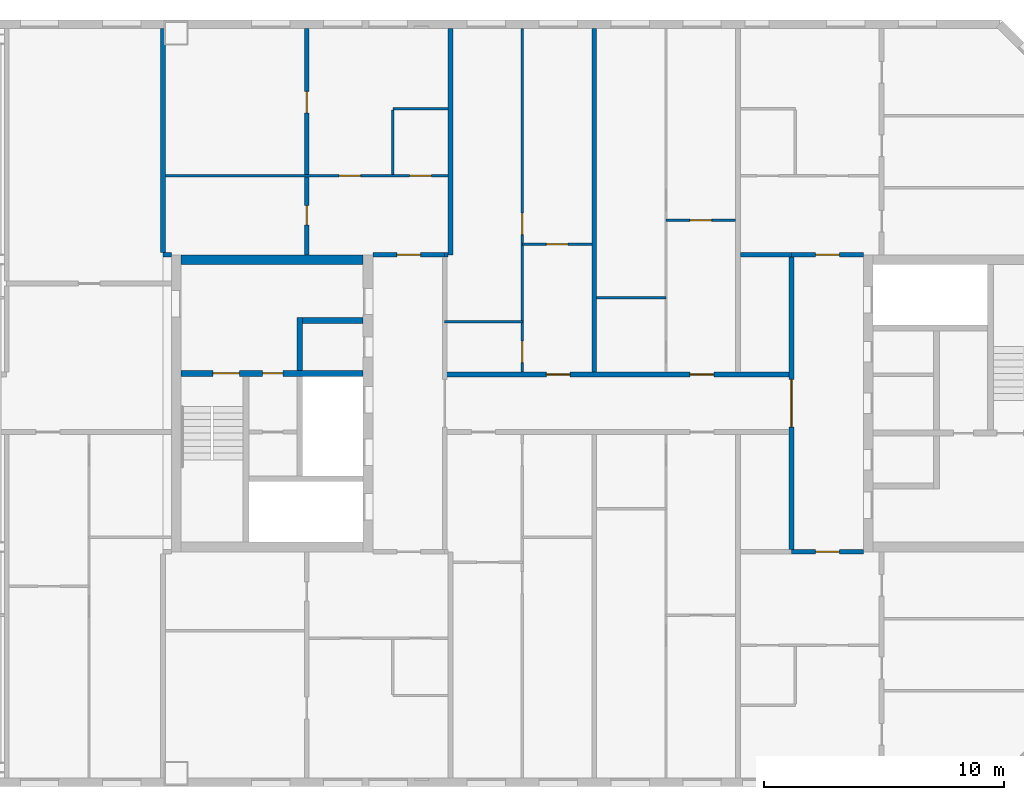
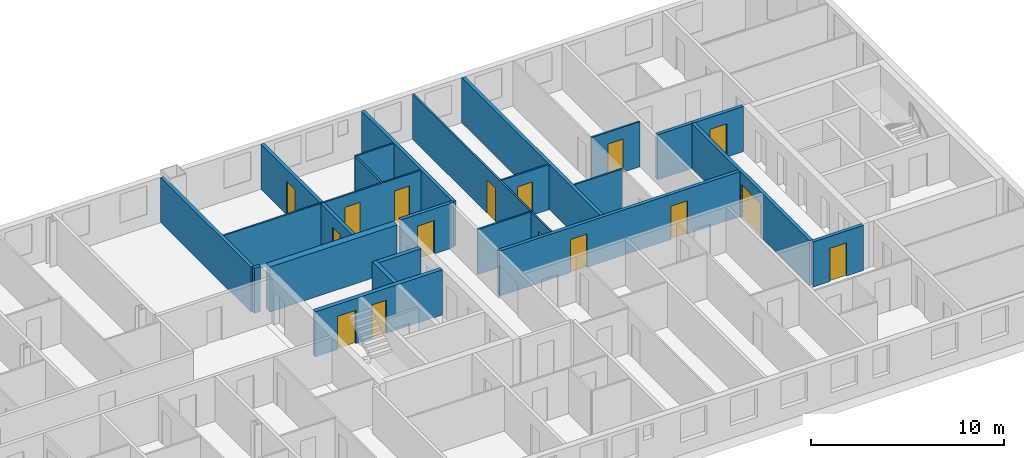
# One storey, part 15 of 19: 24 walls, 16 doors, 16 openings.
"""IFC4 building model written with IfcOpenShell, lengths in metres."""

from ifc_helpers import new_model, si_unit, direction, frame, frame_2d, origin, place, context, subcontext, project, spatial, rectangle, extrude, material, layer, layer_set, type_object, element, fill, save


model = new_model("IFC4")

# Units and contexts
model_context = context("Model", 3, precision=1e-05, world=origin(), true_north=direction((0.0, 1.0)))
body_context = subcontext(model_context, "Body", "Model", "MODEL_VIEW")
ifc_project = project(units=[si_unit("LENGTHUNIT", "METRE"), si_unit("AREAUNIT", "SQUARE_METRE"), si_unit("VOLUMEUNIT", "CUBIC_METRE"), si_unit("PLANEANGLEUNIT", "RADIAN"), si_unit("MASSUNIT", "GRAM", prefix="KILO")], contexts=[model_context])

# Site, building, storey
site_placement = place(None, origin())
site = spatial("IfcSite", under=ifc_project, at=site_placement, CompositionType="ELEMENT")
building_placement = place(site_placement, origin())
building = spatial("IfcBuilding", under=site, at=building_placement, Name="Tuart Gate Housing", CompositionType="ELEMENT")
storey_placement = place(building_placement, frame((0.0, 0.0, 221.39990234375)))
storey = spatial("IfcBuildingStorey", under=building, at=storey_placement, Name="L62", CompositionType="ELEMENT", Elevation=221.39990234375)

# Wall, openings, doors
ifc_material_1 = material(Name="Concrete C40", Category="concrete")
ifc_layer_1 = layer(ifc_material_1, 0.25)
ifc_layer_set_1 = layer_set([ifc_layer_1], Name="Core wall 250 C40")
wall_type_1 = type_object("IfcWallType", Name="Core wall 250 C40", PredefinedType="SHEAR", material=ifc_layer_set_1)
wall_1_placement = place(storey_placement, frame((139.360107421875, 71.25, 0.0), z_axis=(0.0, 0.0, 1.0), x_axis=(-1.0, 0.0, 0.0)))
wall_1 = element("IfcWall", 1, at=wall_1_placement, inside=storey, type_object=wall_type_1, Name="Core wall BG.3", PredefinedType="SHEAR", context=body_context, shape_type="SweptSolid", body=[
    extrude(rectangle(XDim=7.60009765625, YDim=0.25, at=frame_2d((3.800048828125, 0.0))), origin(), (0.0, 0.0, 1.0), 2.85009765625),
])
opening_1_placement = place(wall_1_placement, frame((5.175048828125, 0.0, 0.0)))
opening_1 = element("IfcOpeningElement", 2, at=opening_1_placement, cuts=wall_1, Name="Opening D2409", PredefinedType="OPENING", context=body_context, shape_type="SweptSolid", body=[
    extrude(rectangle(XDim=1.10009765625, YDim=2.10009765625, at=frame_2d((0.550048828125, 1.050048828125))), frame((0.0, 0.135009765625, 0.0), z_axis=(0.0, -1.0, 0.0), x_axis=(1.0, 0.0, 0.0)), (0.0, 0.0, 1.0), 0.27001953125),
])
opening_2_placement = place(wall_1_placement, frame((3.35009765625, 0.0, 0.0)))
opening_2 = element("IfcOpeningElement", 3, at=opening_2_placement, cuts=wall_1, Name="Opening D2408", PredefinedType="OPENING", context=body_context, shape_type="SweptSolid", body=[
    extrude(rectangle(XDim=0.85009765625, YDim=2.10009765625, at=frame_2d((0.425048828125, 1.050048828125))), frame((0.0, 0.135009765625, 0.0), z_axis=(0.0, -1.0, 0.0), x_axis=(1.0, 0.0, 0.0)), (0.0, 0.0, 1.0), 0.27001953125),
])
ifc_material_2 = material(Name="Steel fire door", Category="steel")
door_type_1 = type_object("IfcDoorType", Name="Riser door 850 x 2100", OperationType="SINGLE_SWING_LEFT", PredefinedType="DOOR", material=ifc_material_2)
door_1_placement = place(opening_2_placement, origin())
door_1 = element("IfcDoor", 4, at=door_1_placement, inside=storey, type_object=door_type_1, Name="Service room door BG.W1", OperationType="SINGLE_SWING_LEFT", OverallHeight=2.10009765625, OverallWidth=0.85009765625, PredefinedType="DOOR", context=body_context, shape_type="SweptSolid", body=[
    extrude(rectangle(XDim=0.85009765625, YDim=2.10009765625, at=frame_2d((0.425048828125, 1.050048828125))), frame((0.0, 0.02490234375, 0.0), z_axis=(0.0, -1.0, 0.0), x_axis=(1.0, 0.0, 0.0)), (0.0, 0.0, 1.0), 0.050048828125),
])
fill(opening_2, door_1)
ifc_material_3 = material(Name="Steel fire door", Category="steel")
door_type_2 = type_object("IfcDoorType", Name="Stair door 1100 x 2100", OperationType="SINGLE_SWING_LEFT", PredefinedType="DOOR", material=ifc_material_3)
door_2_placement = place(opening_1_placement, origin())
door_2 = element("IfcDoor", 5, at=door_2_placement, inside=storey, type_object=door_type_2, Name="Stair door BG.SD", OperationType="SINGLE_SWING_LEFT", OverallHeight=2.10009765625, OverallWidth=1.10009765625, PredefinedType="DOOR", context=body_context, shape_type="SweptSolid", body=[
    extrude(rectangle(XDim=1.10009765625, YDim=2.10009765625, at=frame_2d((0.550048828125, 1.050048828125))), frame((0.0, 0.02490234375, 0.0), z_axis=(0.0, -1.0, 0.0), x_axis=(1.0, 0.0, 0.0)), (0.0, 0.0, 1.0), 0.050048828125),
])
fill(opening_1, door_2)

# Walls
wall_2_placement = place(storey_placement, frame((139.360107421875, 73.449951171875, 0.0), z_axis=(0.0, 0.0, 1.0), x_axis=(-1.0, 0.0, 0.0)))
element("IfcWall", 6, at=wall_2_placement, inside=storey, type_object=wall_type_1, Name="Core wall BG.4", PredefinedType="SHEAR", context=body_context, shape_type="SweptSolid", body=[
    extrude(rectangle(XDim=2.525146484375, YDim=0.25, at=frame_2d((1.2626953125, 0.0))), origin(), (0.0, 0.0, 1.0), 2.85009765625),
])
wall_3_placement = place(storey_placement, frame((136.7099609375, 71.375, 0.0), z_axis=(0.0, 0.0, 1.0), x_axis=(0.0, 1.0, 0.0)))
element("IfcWall", 7, at=wall_3_placement, inside=storey, type_object=wall_type_1, Name="Core wall BG.6", PredefinedType="SHEAR", context=body_context, shape_type="SweptSolid", body=[
    extrude(rectangle(XDim=2.199951171875, YDim=0.25, at=frame_2d((1.10009765625, 0.0))), origin(), (0.0, 0.0, 1.0), 2.85009765625),
])
ifc_material_4 = material(Name="Concrete C40", Category="concrete")
ifc_layer_2 = layer(ifc_material_4, 0.39990234375)
ifc_layer_set_2 = layer_set([ifc_layer_2], Name="Core wall 400 C40")
wall_type_2 = type_object("IfcWallType", Name="Core wall 400 C40", PredefinedType="SHEAR", material=ifc_layer_set_2)
wall_4_placement = place(storey_placement, frame((139.360107421875, 76.0, 0.0), z_axis=(0.0, 0.0, 1.0), x_axis=(-1.0, 0.0, 0.0)))
element("IfcWall", 8, at=wall_4_placement, inside=storey, type_object=wall_type_2, Name="Core wall BG north", PredefinedType="SHEAR", context=body_context, shape_type="SweptSolid", body=[
    extrude(rectangle(XDim=7.60009765625, YDim=0.39990234375, at=frame_2d((3.800048828125, 0.0))), origin(), (0.0, 0.0, 1.0), 2.85009765625),
])

# Wall, openings, doors
ifc_material_5 = material(Name="Concrete masonry 15 MPa", Category="masonry")
ifc_layer_3 = layer(ifc_material_5, 0.199951171875)
ifc_layer_set_3 = layer_set([ifc_layer_3], Name="Corridor wall masonry 200")
wall_type_3 = type_object("IfcWallType", Name="Corridor wall masonry 200", PredefinedType="PARTITIONING", material=ifc_layer_set_3)
wall_5_placement = place(storey_placement, frame((142.760009765625, 71.199951171875, 0.0), z_axis=(0.0, 0.0, 1.0), x_axis=(1.0, 0.0, 0.0)))
wall_5 = element("IfcWall", 9, at=wall_5_placement, inside=storey, type_object=wall_type_3, Name="Corridor wall masonry 200", PredefinedType="PARTITIONING", context=body_context, shape_type="SweptSolid", body=[
    extrude(rectangle(XDim=14.47998046875, YDim=0.199951171875, at=frame_2d((7.239990234375, 0.0))), origin(), (0.0, 0.0, 1.0), 2.85009765625),
])
opening_3_placement = place(wall_5_placement, frame((4.239990234375, 0.0, 0.0)))
opening_3 = element("IfcOpeningElement", 10, at=opening_3_placement, cuts=wall_5, Name="Opening D2410", PredefinedType="OPENING", context=body_context, shape_type="SweptSolid", body=[
    extrude(rectangle(XDim=1.0, YDim=2.10009765625, at=frame_2d((0.5, 1.050048828125))), frame((0.0, 0.10986328125, 0.0), z_axis=(0.0, -1.0, 0.0), x_axis=(1.0, 0.0, 0.0)), (0.0, 0.0, 1.0), 0.219970703125),
])
opening_4_placement = place(wall_5_placement, frame((10.239990234375, 0.0, 0.0)))
opening_4 = element("IfcOpeningElement", 11, at=opening_4_placement, cuts=wall_5, Name="Opening D2411", PredefinedType="OPENING", context=body_context, shape_type="SweptSolid", body=[
    extrude(rectangle(XDim=1.0, YDim=2.10009765625, at=frame_2d((0.5, 1.050048828125))), frame((0.0, 0.10986328125, 0.0), z_axis=(0.0, -1.0, 0.0), x_axis=(1.0, 0.0, 0.0)), (0.0, 0.0, 1.0), 0.219970703125),
])
ifc_material_6 = material(Name="Timber door leaf in steel frame", Category="steel")
door_type_3 = type_object("IfcDoorType", Name="Flat entrance door 1000", OperationType="SINGLE_SWING_LEFT", PredefinedType="DOOR", material=ifc_material_6)
door_3_placement = place(opening_3_placement, origin())
door_3 = element("IfcDoor", 12, at=door_3_placement, inside=storey, type_object=door_type_3, Name="Flat entrance door", OperationType="SINGLE_SWING_LEFT", OverallHeight=2.10009765625, OverallWidth=1.0, PredefinedType="DOOR", context=body_context, shape_type="SweptSolid", body=[
    extrude(rectangle(XDim=1.0, YDim=2.10009765625, at=frame_2d((0.5, 1.050048828125))), frame((0.0, 0.02490234375, 0.0), z_axis=(0.0, -1.0, 0.0), x_axis=(1.0, 0.0, 0.0)), (0.0, 0.0, 1.0), 0.050048828125),
])
fill(opening_3, door_3)
door_4_placement = place(opening_4_placement, origin())
door_4 = element("IfcDoor", 13, at=door_4_placement, inside=storey, type_object=door_type_3, Name="Flat entrance door", OperationType="SINGLE_SWING_LEFT", OverallHeight=2.10009765625, OverallWidth=1.0, PredefinedType="DOOR", context=body_context, shape_type="SweptSolid", body=[
    extrude(rectangle(XDim=1.0, YDim=2.10009765625, at=frame_2d((0.5, 1.050048828125))), frame((0.0, 0.02490234375, 0.0), z_axis=(0.0, -1.0, 0.0), x_axis=(1.0, 0.0, 0.0)), (0.0, 0.0, 1.0), 0.050048828125),
])
fill(opening_4, door_4)

# Wall, opening, door
ifc_material_7 = material(Name="Concrete masonry 15 MPa", Category="masonry")
ifc_layer_4 = layer(ifc_material_7, 0.199951171875)
ifc_layer_set_4 = layer_set([ifc_layer_4], Name="Enclosure wall masonry 200")
wall_type_4 = type_object("IfcWallType", Name="Enclosure wall masonry 200", PredefinedType="PARTITIONING", material=ifc_layer_set_4)
wall_6_placement = place(storey_placement, frame((157.239990234375, 63.800048828125, 0.0), z_axis=(0.0, 0.0, 1.0), x_axis=(1.0, 0.0, 0.0)))
wall_6 = element("IfcWall", 14, at=wall_6_placement, inside=storey, type_object=wall_type_4, Name="Enclosure wall masonry 200", PredefinedType="PARTITIONING", context=body_context, shape_type="SweptSolid", body=[
    extrude(rectangle(XDim=3.0, YDim=0.199951171875, at=frame_2d((1.5, 0.0))), origin(), (0.0, 0.0, 1.0), 2.85009765625),
])
opening_5_placement = place(wall_6_placement, frame((1.0, 0.0, 0.0)))
opening_5 = element("IfcOpeningElement", 15, at=opening_5_placement, cuts=wall_6, Name="Opening D2427", PredefinedType="OPENING", context=body_context, shape_type="SweptSolid", body=[
    extrude(rectangle(XDim=1.0, YDim=2.10009765625, at=frame_2d((0.5, 1.050048828125))), frame((0.0, 0.10986328125, 0.0), z_axis=(0.0, -1.0, 0.0), x_axis=(1.0, 0.0, 0.0)), (0.0, 0.0, 1.0), 0.219970703125),
])
door_5_placement = place(opening_5_placement, frame((1.0, 0.0, 0.0), z_axis=(0.0, 0.0, 1.0), x_axis=(-1.0, 0.0, 0.0)))
door_5 = element("IfcDoor", 16, at=door_5_placement, inside=storey, type_object=door_type_3, Name="Flat entrance door", OperationType="SINGLE_SWING_LEFT", OverallHeight=2.10009765625, OverallWidth=1.0, PredefinedType="DOOR", context=body_context, shape_type="SweptSolid", body=[
    extrude(rectangle(XDim=1.0, YDim=2.10009765625, at=frame_2d((0.5, 1.050048828125))), frame((0.0, 0.025146484375, 0.0), z_axis=(0.0, -1.0, 0.0), x_axis=(1.0, 0.0, 0.0)), (0.0, 0.0, 1.0), 0.050048828125),
])
fill(opening_5, door_5)

wall_7_placement = place(storey_placement, frame((139.760009765625, 76.199951171875, 0.0), z_axis=(0.0, 0.0, 1.0), x_axis=(1.0, 0.0, 0.0)))
wall_7 = element("IfcWall", 17, at=wall_7_placement, inside=storey, type_object=wall_type_4, Name="Enclosure wall masonry 200", PredefinedType="PARTITIONING", context=body_context, shape_type="SweptSolid", body=[
    extrude(rectangle(XDim=3.0, YDim=0.199951171875, at=frame_2d((1.5, 0.0))), origin(), (0.0, 0.0, 1.0), 2.85009765625),
])
opening_6_placement = place(wall_7_placement, frame((1.0, 0.0, 0.0)))
opening_6 = element("IfcOpeningElement", 18, at=opening_6_placement, cuts=wall_7, Name="Opening D2406", PredefinedType="OPENING", context=body_context, shape_type="SweptSolid", body=[
    extrude(rectangle(XDim=1.0, YDim=2.10009765625, at=frame_2d((0.5, 1.050048828125))), frame((0.0, 0.10986328125, 0.0), z_axis=(0.0, -1.0, 0.0), x_axis=(1.0, 0.0, 0.0)), (0.0, 0.0, 1.0), 0.219970703125),
])
ifc_material_8 = material(Name="Timber door leaf in steel frame", Category="steel")
door_type_4 = type_object("IfcDoorType", Name="Flat entrance door 1000 RH", OperationType="SINGLE_SWING_RIGHT", PredefinedType="DOOR", material=ifc_material_8)
door_6_placement = place(opening_6_placement, origin())
door_6 = element("IfcDoor", 19, at=door_6_placement, inside=storey, type_object=door_type_4, Name="Flat entrance door", OperationType="SINGLE_SWING_RIGHT", OverallHeight=2.10009765625, OverallWidth=1.0, PredefinedType="DOOR", context=body_context, shape_type="SweptSolid", body=[
    extrude(rectangle(XDim=1.0, YDim=2.10009765625, at=frame_2d((0.5, 1.050048828125))), frame((0.0, 0.02490234375, 0.0), z_axis=(0.0, -1.0, 0.0), x_axis=(1.0, 0.0, 0.0)), (0.0, 0.0, 1.0), 0.050048828125),
])
fill(opening_6, door_6)

wall_8_placement = place(storey_placement, frame((157.239990234375, 76.199951171875, 0.0), z_axis=(0.0, 0.0, 1.0), x_axis=(1.0, 0.0, 0.0)))
wall_8 = element("IfcWall", 20, at=wall_8_placement, inside=storey, type_object=wall_type_4, Name="Enclosure wall masonry 200", PredefinedType="PARTITIONING", context=body_context, shape_type="SweptSolid", body=[
    extrude(rectangle(XDim=3.0, YDim=0.199951171875, at=frame_2d((1.5, 0.0))), origin(), (0.0, 0.0, 1.0), 2.85009765625),
])
opening_7_placement = place(wall_8_placement, frame((1.0, 0.0, 0.0)))
opening_7 = element("IfcOpeningElement", 21, at=opening_7_placement, cuts=wall_8, Name="Opening D2407", PredefinedType="OPENING", context=body_context, shape_type="SweptSolid", body=[
    extrude(rectangle(XDim=1.0, YDim=2.10009765625, at=frame_2d((0.5, 1.050048828125))), frame((0.0, 0.10986328125, 0.0), z_axis=(0.0, -1.0, 0.0), x_axis=(1.0, 0.0, 0.0)), (0.0, 0.0, 1.0), 0.219970703125),
])
door_7_placement = place(opening_7_placement, origin())
door_7 = element("IfcDoor", 22, at=door_7_placement, inside=storey, type_object=door_type_4, Name="Flat entrance door", OperationType="SINGLE_SWING_RIGHT", OverallHeight=2.10009765625, OverallWidth=1.0, PredefinedType="DOOR", context=body_context, shape_type="SweptSolid", body=[
    extrude(rectangle(XDim=1.0, YDim=2.10009765625, at=frame_2d((0.5, 1.050048828125))), frame((0.0, 0.02490234375, 0.0), z_axis=(0.0, -1.0, 0.0), x_axis=(1.0, 0.0, 0.0)), (0.0, 0.0, 1.0), 0.050048828125),
])
fill(opening_7, door_7)

ifc_material_9 = material(Name="Plasterboard partition")
ifc_layer_5 = layer(ifc_material_9, 0.199951171875)
ifc_layer_set_5 = layer_set([ifc_layer_5], Name="Lobby wall 200")
wall_type_5 = type_object("IfcWallType", Name="Lobby wall 200", PredefinedType="PARTITIONING", material=ifc_layer_set_5)
wall_9_placement = place(storey_placement, frame((157.239990234375, 63.89990234375, 0.0), z_axis=(0.0, 0.0, 1.0), x_axis=(0.0, 1.0, 0.0)))
wall_9 = element("IfcWall", 23, at=wall_9_placement, inside=storey, type_object=wall_type_5, Name="Lift lobby wall BK", PredefinedType="PARTITIONING", context=body_context, shape_type="SweptSolid", body=[
    extrude(rectangle(XDim=12.2001953125, YDim=0.199951171875, at=frame_2d((6.10009765625, 0.0))), origin(), (0.0, 0.0, 1.0), 2.85009765625),
])
opening_8_placement = place(wall_9_placement, frame((5.10009765625, 0.0, 0.0)))
opening_8 = element("IfcOpeningElement", 24, at=opening_8_placement, cuts=wall_9, Name="Opening D2416", PredefinedType="OPENING", context=body_context, shape_type="SweptSolid", body=[
    extrude(rectangle(XDim=2.0, YDim=2.10009765625, at=frame_2d((1.0, 1.050048828125))), frame((0.0, 0.10986328125, 0.0), z_axis=(0.0, -1.0, 0.0), x_axis=(1.0, 0.0, 0.0)), (0.0, 0.0, 1.0), 0.219970703125),
])
ifc_material_10 = material(Name="Steel fire door", Category="steel")
door_type_5 = type_object("IfcDoorType", Name="Smoke door 2000 x 2100", OperationType="DOUBLE_DOOR_SINGLE_SWING", PredefinedType="DOOR", material=ifc_material_10)
door_8_placement = place(opening_8_placement, frame((2.0, 0.0, 0.0), z_axis=(0.0, 0.0, 1.0), x_axis=(-1.0, 0.0, 0.0)))
door_8 = element("IfcDoor", 25, at=door_8_placement, inside=storey, type_object=door_type_5, Name="Lift lobby smoke door BK", OperationType="DOUBLE_DOOR_SINGLE_SWING", OverallHeight=2.10009765625, OverallWidth=2.0, PredefinedType="DOOR", context=body_context, shape_type="SweptSolid", body=[
    extrude(rectangle(XDim=2.0, YDim=2.10009765625, at=frame_2d((1.0, 1.050048828125))), frame((0.0, 0.025146484375, 0.0), z_axis=(0.0, -1.0, 0.0), x_axis=(1.0, 0.0, 0.0)), (0.0, 0.0, 1.0), 0.050048828125),
])
fill(opening_8, door_8)

# Walls
ifc_material_11 = material(Name="Gypsum board on steel studs", Category="steel")
ifc_layer_6 = layer(ifc_material_11, 0.10009765625)
ifc_layer_set_6 = layer_set([ifc_layer_6], Name="Partition 100")
wall_type_6 = type_object("IfcWallType", Name="Partition 100", PredefinedType="PARTITIONING", material=ifc_layer_set_6)
wall_10_placement = place(storey_placement, frame((142.760009765625, 73.39990234375, 0.0), z_axis=(0.0, 0.0, 1.0), x_axis=(1.0, 0.0, 0.0)))
element("IfcWall", 26, at=wall_10_placement, inside=storey, type_object=wall_type_6, Name="Partition 100", PredefinedType="PARTITIONING", context=body_context, shape_type="SweptSolid", body=[
    extrude(rectangle(XDim=3.239990234375, YDim=0.10009765625, at=frame_2d((1.6201171875, 0.0))), origin(), (0.0, 0.0, 1.0), 2.85009765625),
])
wall_11_placement = place(storey_placement, frame((149.10009765625, 74.39990234375, 0.0), z_axis=(0.0, 0.0, 1.0), x_axis=(1.0, 0.0, 0.0)))
element("IfcWall", 27, at=wall_11_placement, inside=storey, type_object=wall_type_6, Name="Partition 100", PredefinedType="PARTITIONING", context=body_context, shape_type="SweptSolid", body=[
    extrude(rectangle(XDim=2.89990234375, YDim=0.10009765625, at=frame_2d((1.449951171875, 0.0))), origin(), (0.0, 0.0, 1.0), 2.85009765625),
])

# Wall, opening, door
wall_12_placement = place(storey_placement, frame((146.0, 76.639892578125, 0.0), z_axis=(0.0, 0.0, 1.0), x_axis=(1.0, 0.0, 0.0)))
wall_12 = element("IfcWall", 28, at=wall_12_placement, inside=storey, type_object=wall_type_6, Name="Partition 100", PredefinedType="PARTITIONING", context=body_context, shape_type="SweptSolid", body=[
    extrude(rectangle(XDim=2.89990234375, YDim=0.10009765625, at=frame_2d((1.449951171875, 0.0))), origin(), (0.0, 0.0, 1.0), 2.85009765625),
])
opening_9_placement = place(wall_12_placement, frame((1.0, 0.0, 0.0)))
opening_9 = element("IfcOpeningElement", 29, at=opening_9_placement, cuts=wall_12, Name="Opening D2405", PredefinedType="OPENING", context=body_context, shape_type="SweptSolid", body=[
    extrude(rectangle(XDim=0.89990234375, YDim=2.10009765625, at=frame_2d((0.449951171875, 1.050048828125))), frame((0.0, 0.06005859375, 0.0), z_axis=(0.0, -1.0, 0.0), x_axis=(1.0, 0.0, 0.0)), (0.0, 0.0, 1.0), 0.1201171875),
])
ifc_material_12 = material(Name="Timber door leaf in steel frame", Category="steel")
door_type_6 = type_object("IfcDoorType", Name="Internal door 900 RH", OperationType="SINGLE_SWING_RIGHT", PredefinedType="DOOR", material=ifc_material_12)
door_9_placement = place(opening_9_placement, frame((0.89990234375, 0.0, 0.0), z_axis=(0.0, 0.0, 1.0), x_axis=(-1.0, 0.0, 0.0)))
door_9 = element("IfcDoor", 30, at=door_9_placement, inside=storey, type_object=door_type_6, Name="Internal door", OperationType="SINGLE_SWING_RIGHT", OverallHeight=2.10009765625, OverallWidth=0.89990234375, PredefinedType="DOOR", context=body_context, shape_type="SweptSolid", body=[
    extrude(rectangle(XDim=0.89990234375, YDim=2.10009765625, at=frame_2d((0.449951171875, 1.050048828125))), frame((0.0, 0.025146484375, 0.0), z_axis=(0.0, -1.0, 0.0), x_axis=(1.0, 0.0, 0.0)), (0.0, 0.0, 1.0), 0.050048828125),
])
fill(opening_9, door_9)

wall_13_placement = place(storey_placement, frame((152.0, 77.639892578125, 0.0), z_axis=(0.0, 0.0, 1.0), x_axis=(1.0, 0.0, 0.0)))
wall_13 = element("IfcWall", 31, at=wall_13_placement, inside=storey, type_object=wall_type_6, Name="Partition 100", PredefinedType="PARTITIONING", context=body_context, shape_type="SweptSolid", body=[
    extrude(rectangle(XDim=2.89990234375, YDim=0.10009765625, at=frame_2d((1.449951171875, 0.0))), origin(), (0.0, 0.0, 1.0), 2.85009765625),
])
opening_10_placement = place(wall_13_placement, frame((1.0, 0.0, 0.0)))
opening_10 = element("IfcOpeningElement", 32, at=opening_10_placement, cuts=wall_13, Name="Opening D2404", PredefinedType="OPENING", context=body_context, shape_type="SweptSolid", body=[
    extrude(rectangle(XDim=0.89990234375, YDim=2.10009765625, at=frame_2d((0.449951171875, 1.050048828125))), frame((0.0, 0.06005859375, 0.0), z_axis=(0.0, -1.0, 0.0), x_axis=(1.0, 0.0, 0.0)), (0.0, 0.0, 1.0), 0.1201171875),
])
door_10_placement = place(opening_10_placement, frame((0.89990234375, 0.0, 0.0), z_axis=(0.0, 0.0, 1.0), x_axis=(-1.0, 0.0, 0.0)))
door_10 = element("IfcDoor", 33, at=door_10_placement, inside=storey, type_object=door_type_6, Name="Internal door", OperationType="SINGLE_SWING_RIGHT", OverallHeight=2.10009765625, OverallWidth=0.89990234375, PredefinedType="DOOR", context=body_context, shape_type="SweptSolid", body=[
    extrude(rectangle(XDim=0.89990234375, YDim=2.10009765625, at=frame_2d((0.449951171875, 1.050048828125))), frame((0.0, 0.025146484375, 0.0), z_axis=(0.0, -1.0, 0.0), x_axis=(1.0, 0.0, 0.0)), (0.0, 0.0, 1.0), 0.050048828125),
])
fill(opening_10, door_10)

# Wall, openings, doors
wall_14_placement = place(storey_placement, frame((131.10009765625, 79.5, 0.0), z_axis=(0.0, 0.0, 1.0), x_axis=(1.0, 0.0, 0.0)))
wall_14 = element("IfcWall", 34, at=wall_14_placement, inside=storey, type_object=wall_type_6, Name="Partition 100", PredefinedType="PARTITIONING", context=body_context, shape_type="SweptSolid", body=[
    extrude(rectangle(XDim=11.7998046875, YDim=0.10009765625, at=frame_2d((5.89990234375, 0.0))), origin(), (0.0, 0.0, 1.0), 2.85009765625),
])
opening_11_placement = place(wall_14_placement, frame((7.25, 0.0, 0.0)))
opening_11 = element("IfcOpeningElement", 35, at=opening_11_placement, cuts=wall_14, Name="Opening D2397", PredefinedType="OPENING", context=body_context, shape_type="SweptSolid", body=[
    extrude(rectangle(XDim=0.89990234375, YDim=2.10009765625, at=frame_2d((0.449951171875, 1.050048828125))), frame((0.0, 0.06005859375, 0.0), z_axis=(0.0, -1.0, 0.0), x_axis=(1.0, 0.0, 0.0)), (0.0, 0.0, 1.0), 0.1201171875),
])
opening_12_placement = place(wall_14_placement, frame((10.199951171875, 0.0, 0.0)))
opening_12 = element("IfcOpeningElement", 36, at=opening_12_placement, cuts=wall_14, Name="Opening D2396", PredefinedType="OPENING", context=body_context, shape_type="SweptSolid", body=[
    extrude(rectangle(XDim=0.89990234375, YDim=2.10009765625, at=frame_2d((0.449951171875, 1.050048828125))), frame((0.0, 0.06005859375, 0.0), z_axis=(0.0, -1.0, 0.0), x_axis=(1.0, 0.0, 0.0)), (0.0, 0.0, 1.0), 0.1201171875),
])
ifc_material_13 = material(Name="Timber door leaf in steel frame", Category="steel")
door_type_7 = type_object("IfcDoorType", Name="Bathroom door 900", OperationType="SINGLE_SWING_LEFT", PredefinedType="DOOR", material=ifc_material_13)
door_11_placement = place(opening_12_placement, origin())
door_11 = element("IfcDoor", 37, at=door_11_placement, inside=storey, type_object=door_type_7, Name="Bathroom door", OperationType="SINGLE_SWING_LEFT", OverallHeight=2.10009765625, OverallWidth=0.89990234375, PredefinedType="DOOR", context=body_context, shape_type="SweptSolid", body=[
    extrude(rectangle(XDim=0.89990234375, YDim=2.10009765625, at=frame_2d((0.449951171875, 1.050048828125))), frame((0.0, 0.02490234375, 0.0), z_axis=(0.0, -1.0, 0.0), x_axis=(1.0, 0.0, 0.0)), (0.0, 0.0, 1.0), 0.050048828125),
])
fill(opening_12, door_11)
door_12_placement = place(opening_11_placement, frame((0.89990234375, 0.0, 0.0), z_axis=(0.0, 0.0, 1.0), x_axis=(-1.0, 0.0, 0.0)))
door_12 = element("IfcDoor", 38, at=door_12_placement, inside=storey, type_object=door_type_6, Name="Internal door", OperationType="SINGLE_SWING_RIGHT", OverallHeight=2.10009765625, OverallWidth=0.89990234375, PredefinedType="DOOR", context=body_context, shape_type="SweptSolid", body=[
    extrude(rectangle(XDim=0.89990234375, YDim=2.10009765625, at=frame_2d((0.449951171875, 1.050048828125))), frame((0.0, 0.025146484375, 0.0), z_axis=(0.0, -1.0, 0.0), x_axis=(1.0, 0.0, 0.0)), (0.0, 0.0, 1.0), 0.050048828125),
])
fill(opening_11, door_12)

# Walls
wall_15_placement = place(storey_placement, frame((140.60009765625, 82.300048828125, 0.0), z_axis=(0.0, 0.0, 1.0), x_axis=(1.0, 0.0, 0.0)))
element("IfcWall", 39, at=wall_15_placement, inside=storey, type_object=wall_type_6, Name="Partition 100", PredefinedType="PARTITIONING", context=body_context, shape_type="SweptSolid", body=[
    extrude(rectangle(XDim=2.2998046875, YDim=0.10009765625, at=frame_2d((1.14990234375, 0.0))), origin(), (0.0, 0.0, 1.0), 2.85009765625),
])
wall_16_placement = place(storey_placement, frame((140.60009765625, 79.550048828125, 0.0), z_axis=(0.0, 0.0, 1.0), x_axis=(0.0, 1.0, 0.0)))
element("IfcWall", 40, at=wall_16_placement, inside=storey, type_object=wall_type_6, Name="Partition 100", PredefinedType="PARTITIONING", context=body_context, shape_type="SweptSolid", body=[
    extrude(rectangle(XDim=2.699951171875, YDim=0.10009765625, at=frame_2d((1.35009765625, 0.0))), origin(), (0.0, 0.0, 1.0), 2.85009765625),
])

# Wall, openings, doors
wall_17_placement = place(storey_placement, frame((146.0, 71.300048828125, 0.0), z_axis=(0.0, 0.0, 1.0), x_axis=(0.0, 1.0, 0.0)))
wall_17 = element("IfcWall", 41, at=wall_17_placement, inside=storey, type_object=wall_type_6, Name="Partition 100", PredefinedType="PARTITIONING", context=body_context, shape_type="SweptSolid", body=[
    extrude(rectangle(XDim=14.33984375, YDim=0.10009765625, at=frame_2d((7.169921875, 0.0))), origin(), (0.0, 0.0, 1.0), 2.85009765625),
])
opening_13_placement = place(wall_17_placement, frame((5.739990234375, 0.0, 0.0)))
opening_13 = element("IfcOpeningElement", 42, at=opening_13_placement, cuts=wall_17, Name="Opening D2401", PredefinedType="OPENING", context=body_context, shape_type="SweptSolid", body=[
    extrude(rectangle(XDim=0.89990234375, YDim=2.10009765625, at=frame_2d((0.449951171875, 1.050048828125))), frame((0.0, 0.06005859375, 0.0), z_axis=(0.0, -1.0, 0.0), x_axis=(1.0, 0.0, 0.0)), (0.0, 0.0, 1.0), 0.1201171875),
])
opening_14_placement = place(wall_17_placement, frame((0.39990234375, 0.0, 0.0)))
opening_14 = element("IfcOpeningElement", 43, at=opening_14_placement, cuts=wall_17, Name="Opening D2400", PredefinedType="OPENING", context=body_context, shape_type="SweptSolid", body=[
    extrude(rectangle(XDim=0.89990234375, YDim=2.10009765625, at=frame_2d((0.449951171875, 1.050048828125))), frame((0.0, 0.06005859375, 0.0), z_axis=(0.0, -1.0, 0.0), x_axis=(1.0, 0.0, 0.0)), (0.0, 0.0, 1.0), 0.1201171875),
])
door_13_placement = place(opening_14_placement, origin())
door_13 = element("IfcDoor", 44, at=door_13_placement, inside=storey, type_object=door_type_7, Name="Bathroom door", OperationType="SINGLE_SWING_LEFT", OverallHeight=2.10009765625, OverallWidth=0.89990234375, PredefinedType="DOOR", context=body_context, shape_type="SweptSolid", body=[
    extrude(rectangle(XDim=0.89990234375, YDim=2.10009765625, at=frame_2d((0.449951171875, 1.050048828125))), frame((0.0, 0.02490234375, 0.0), z_axis=(0.0, -1.0, 0.0), x_axis=(1.0, 0.0, 0.0)), (0.0, 0.0, 1.0), 0.050048828125),
])
fill(opening_14, door_13)
ifc_material_14 = material(Name="Timber door leaf in steel frame", Category="steel")
door_type_8 = type_object("IfcDoorType", Name="Internal door 900", OperationType="SINGLE_SWING_LEFT", PredefinedType="DOOR", material=ifc_material_14)
door_14_placement = place(opening_13_placement, origin())
door_14 = element("IfcDoor", 45, at=door_14_placement, inside=storey, type_object=door_type_8, Name="Internal door", OperationType="SINGLE_SWING_LEFT", OverallHeight=2.10009765625, OverallWidth=0.89990234375, PredefinedType="DOOR", context=body_context, shape_type="SweptSolid", body=[
    extrude(rectangle(XDim=0.89990234375, YDim=2.10009765625, at=frame_2d((0.449951171875, 1.050048828125))), frame((0.0, 0.02490234375, 0.0), z_axis=(0.0, -1.0, 0.0), x_axis=(1.0, 0.0, 0.0)), (0.0, 0.0, 1.0), 0.050048828125),
])
fill(opening_13, door_14)

ifc_material_15 = material(Name="Concrete C40", Category="concrete")
ifc_layer_7 = layer(ifc_material_15, 0.199951171875)
ifc_layer_set_7 = layer_set([ifc_layer_7], Name="Party wall concrete C40 200")
wall_type_7 = type_object("IfcWallType", Name="Party wall concrete C40 200", PredefinedType="SOLIDWALL", material=ifc_layer_set_7)
wall_18_placement = place(storey_placement, frame((137.0, 76.199951171875, 0.0), z_axis=(0.0, 0.0, 1.0), x_axis=(0.0, 1.0, 0.0)))
wall_18 = element("IfcWall", 46, at=wall_18_placement, inside=storey, type_object=wall_type_7, Name="Party wall concrete C40 200", PredefinedType="SOLIDWALL", context=body_context, shape_type="SweptSolid", body=[
    extrude(rectangle(XDim=9.43994140625, YDim=0.199951171875, at=frame_2d((4.719970703125, 0.0))), origin(), (0.0, 0.0, 1.0), 2.85009765625),
])
opening_15_placement = place(wall_18_placement, frame((5.919921875, 0.0, 0.0)))
opening_15 = element("IfcOpeningElement", 47, at=opening_15_placement, cuts=wall_18, Name="Opening D2391", PredefinedType="OPENING", context=body_context, shape_type="SweptSolid", body=[
    extrude(rectangle(XDim=0.89990234375, YDim=2.10009765625, at=frame_2d((0.449951171875, 1.050048828125))), frame((0.0, 0.10986328125, 0.0), z_axis=(0.0, -1.0, 0.0), x_axis=(1.0, 0.0, 0.0)), (0.0, 0.0, 1.0), 0.219970703125),
])
opening_16_placement = place(wall_18_placement, frame((1.25, 0.0, 0.0)))
opening_16 = element("IfcOpeningElement", 48, at=opening_16_placement, cuts=wall_18, Name="Opening D2392", PredefinedType="OPENING", context=body_context, shape_type="SweptSolid", body=[
    extrude(rectangle(XDim=0.800048828125, YDim=2.10009765625, at=frame_2d((0.39990234375, 1.050048828125))), frame((0.0, 0.10986328125, 0.0), z_axis=(0.0, -1.0, 0.0), x_axis=(1.0, 0.0, 0.0)), (0.0, 0.0, 1.0), 0.219970703125),
])
door_15_placement = place(opening_15_placement, origin())
door_15 = element("IfcDoor", 49, at=door_15_placement, inside=storey, type_object=door_type_8, Name="Internal door", OperationType="SINGLE_SWING_LEFT", OverallHeight=2.10009765625, OverallWidth=0.89990234375, PredefinedType="DOOR", context=body_context, shape_type="SweptSolid", body=[
    extrude(rectangle(XDim=0.89990234375, YDim=2.10009765625, at=frame_2d((0.449951171875, 1.050048828125))), frame((0.0, 0.02490234375, 0.0), z_axis=(0.0, -1.0, 0.0), x_axis=(1.0, 0.0, 0.0)), (0.0, 0.0, 1.0), 0.050048828125),
])
fill(opening_15, door_15)
ifc_material_16 = material(Name="Timber door leaf in steel frame", Category="steel")
door_type_9 = type_object("IfcDoorType", Name="Store door 800", OperationType="SINGLE_SWING_LEFT", PredefinedType="DOOR", material=ifc_material_16)
door_16_placement = place(opening_16_placement, origin())
door_16 = element("IfcDoor", 50, at=door_16_placement, inside=storey, type_object=door_type_9, Name="Store door", OperationType="SINGLE_SWING_LEFT", OverallHeight=2.10009765625, OverallWidth=0.800048828125, PredefinedType="DOOR", context=body_context, shape_type="SweptSolid", body=[
    extrude(rectangle(XDim=0.800048828125, YDim=2.10009765625, at=frame_2d((0.39990234375, 1.050048828125))), frame((0.0, 0.02490234375, 0.0), z_axis=(0.0, -1.0, 0.0), x_axis=(1.0, 0.0, 0.0)), (0.0, 0.0, 1.0), 0.050048828125),
])
fill(opening_16, door_16)

# Walls
wall_19_placement = place(storey_placement, frame((143.0, 76.199951171875, 0.0), z_axis=(0.0, 0.0, 1.0), x_axis=(0.0, 1.0, 0.0)))
element("IfcWall", 51, at=wall_19_placement, inside=storey, type_object=wall_type_7, Name="Party wall concrete C40 200", PredefinedType="SOLIDWALL", context=body_context, shape_type="SweptSolid", body=[
    extrude(rectangle(XDim=9.43994140625, YDim=0.199951171875, at=frame_2d((4.719970703125, 0.0))), origin(), (0.0, 0.0, 1.0), 2.85009765625),
])
wall_20_placement = place(storey_placement, frame((149.0, 71.199951171875, 0.0), z_axis=(0.0, 0.0, 1.0), x_axis=(0.0, 1.0, 0.0)))
element("IfcWall", 52, at=wall_20_placement, inside=storey, type_object=wall_type_7, Name="Party wall concrete C40 200", PredefinedType="SOLIDWALL", context=body_context, shape_type="SweptSolid", body=[
    extrude(rectangle(XDim=14.43994140625, YDim=0.199951171875, at=frame_2d((7.219970703125, 0.0))), origin(), (0.0, 0.0, 1.0), 2.85009765625),
])
ifc_material_17 = material(Name="Concrete masonry 15 MPa", Category="masonry")
ifc_layer_8 = layer(ifc_material_17, 0.199951171875)
ifc_layer_set_8 = layer_set([ifc_layer_8], Name="Party wall masonry 200")
wall_type_8 = type_object("IfcWallType", Name="Party wall masonry 200", PredefinedType="PARTITIONING", material=ifc_layer_set_8)
wall_21_placement = place(storey_placement, frame((131.0, 76.199951171875, 0.0), z_axis=(0.0, 0.0, 1.0), x_axis=(1.0, 0.0, 0.0)))
element("IfcWall", 53, at=wall_21_placement, inside=storey, type_object=wall_type_8, Name="Party wall masonry 200", PredefinedType="PARTITIONING", context=body_context, shape_type="SweptSolid", body=[
    extrude(rectangle(XDim=0.360107421875, YDim=0.199951171875, at=frame_2d((0.18017578125, 0.0))), origin(), (0.0, 0.0, 1.0), 2.85009765625),
])
wall_22_placement = place(storey_placement, frame((142.760009765625, 76.199951171875, 0.0), z_axis=(0.0, 0.0, 1.0), x_axis=(1.0, 0.0, 0.0)))
element("IfcWall", 54, at=wall_22_placement, inside=storey, type_object=wall_type_8, Name="Party wall masonry 200", PredefinedType="PARTITIONING", context=body_context, shape_type="SweptSolid", body=[
    extrude(rectangle(XDim=0.139892578125, YDim=0.199951171875, at=frame_2d((0.06982421875, 0.0))), origin(), (0.0, 0.0, 1.0), 2.85009765625),
])
wall_23_placement = place(storey_placement, frame((155.10009765625, 76.199951171875, 0.0), z_axis=(0.0, 0.0, 1.0), x_axis=(1.0, 0.0, 0.0)))
element("IfcWall", 55, at=wall_23_placement, inside=storey, type_object=wall_type_8, Name="Party wall masonry 200", PredefinedType="PARTITIONING", context=body_context, shape_type="SweptSolid", body=[
    extrude(rectangle(XDim=2.139892578125, YDim=0.199951171875, at=frame_2d((1.06982421875, 0.0))), origin(), (0.0, 0.0, 1.0), 2.85009765625),
])
wall_24_placement = place(storey_placement, frame((131.0, 76.300048828125, 0.0), z_axis=(0.0, 0.0, 1.0), x_axis=(0.0, 1.0, 0.0)))
element("IfcWall", 56, at=wall_24_placement, inside=storey, type_object=wall_type_8, Name="Party wall masonry 200", PredefinedType="PARTITIONING", context=body_context, shape_type="SweptSolid", body=[
    extrude(rectangle(XDim=9.33984375, YDim=0.199951171875, at=frame_2d((4.669921875, 0.0))), origin(), (0.0, 0.0, 1.0), 2.85009765625),
])

save(model, "model.ifc")
